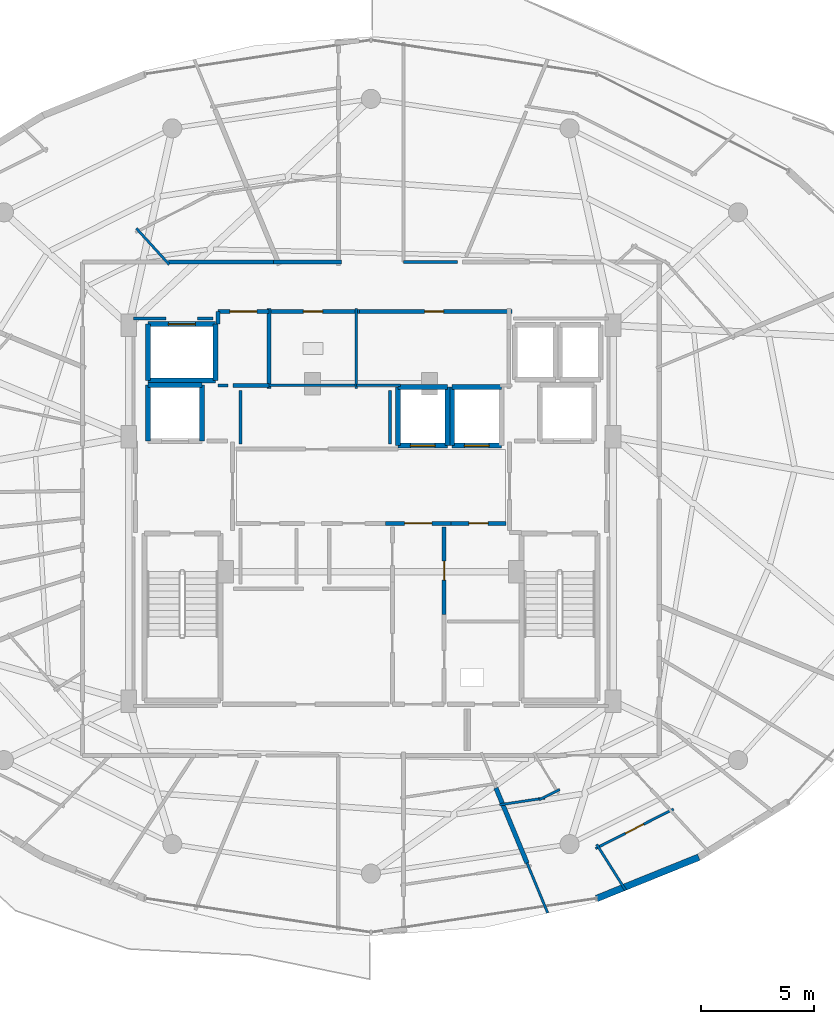
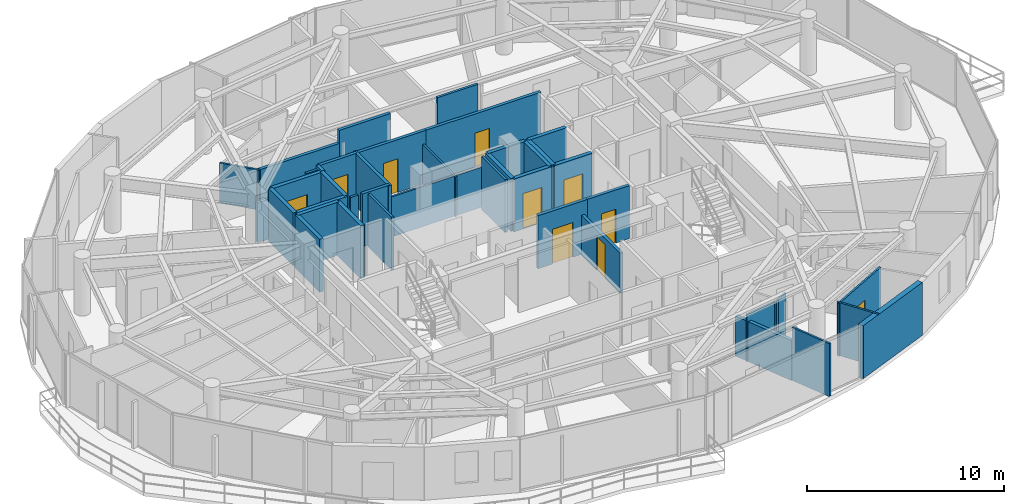
# One storey, part 25 of 31: 42 walls, 10 doors, 10 openings.
"""IFC4 building model written with IfcOpenShell, lengths in metres."""

from ifc_helpers import new_model, si_unit, direction, frame, frame_2d, origin, place, context, subcontext, project, spatial, rectangle, extrude, material, layer, layer_set, type_object, element, fill, save


model = new_model("IFC4")

# Units and contexts
model_context = context("Model", 3, precision=1e-05, world=origin(), true_north=direction((0.0, 1.0)))
body_context = subcontext(model_context, "Body", "Model", "MODEL_VIEW")
ifc_project = project(units=[si_unit("LENGTHUNIT", "METRE"), si_unit("AREAUNIT", "SQUARE_METRE"), si_unit("VOLUMEUNIT", "CUBIC_METRE"), si_unit("PLANEANGLEUNIT", "RADIAN"), si_unit("MASSUNIT", "GRAM", prefix="KILO")], contexts=[model_context])

# Site, building, storey
site_placement = place(None, origin())
site = spatial("IfcSite", under=ifc_project, at=site_placement, CompositionType="ELEMENT")
building_placement = place(site_placement, origin())
building = spatial("IfcBuilding", under=site, at=building_placement, Name="Vorneva Point Tower", CompositionType="ELEMENT")
storey_placement = place(building_placement, frame((0.0, 0.0, 266.199951171875)))
storey = spatial("IfcBuildingStorey", under=building, at=storey_placement, Name="L72", CompositionType="ELEMENT", Elevation=266.199951171875)

# Walls
ifc_material_1 = material(Name="Concrete B60 (C50/60)", Category="concrete")
ifc_layer_1 = layer(ifc_material_1, 0.35009765625)
ifc_layer_set_1 = layer_set([ifc_layer_1], Name="Concrete B60 (C50/60)")
wall_type_1 = type_object("IfcWallType", Name="WL-CORE-350", PredefinedType="SHEAR", material=ifc_layer_set_1)
wall_1_placement = place(storey_placement, frame((30.5, 28.0, 0.0), z_axis=(0.0, 0.0, 1.0), x_axis=(0.0, 1.0, 0.0)))
element("IfcWall", 1, at=wall_1_placement, inside=storey, type_object=wall_type_1, Name="L72 Lift FFL1 Shaft Wall +X", PredefinedType="SHEAR", context=body_context, shape_type="SweptSolid", body=[
    extrude(rectangle(XDim=2.5, YDim=0.219970703125, at=frame_2d((1.25, 0.0))), origin(), (0.0, 0.0, 1.0), 3.2900390625),
])
wall_2_placement = place(storey_placement, frame((30.5, 30.5, 0.0), z_axis=(0.0, 0.0, 1.0), x_axis=(-1.0, 0.0, 0.0)))
element("IfcWall", 2, at=wall_2_placement, inside=storey, type_object=wall_type_1, Name="L72 Lift FFL1 Shaft Wall +Y", PredefinedType="SHEAR", context=body_context, shape_type="SweptSolid", body=[
    extrude(rectangle(XDim=2.39990234375, YDim=0.219970703125, at=frame_2d((1.199951171875, 0.0))), origin(), (0.0, 0.0, 1.0), 3.2900390625),
])
wall_3_placement = place(storey_placement, frame((28.10009765625, 30.5, 0.0), z_axis=(0.0, 0.0, 1.0), x_axis=(0.0, -1.0, 0.0)))
element("IfcWall", 3, at=wall_3_placement, inside=storey, type_object=wall_type_1, Name="L72 Lift FFL1 Shaft Wall -X", PredefinedType="SHEAR", context=body_context, shape_type="SweptSolid", body=[
    extrude(rectangle(XDim=2.5, YDim=0.219970703125, at=frame_2d((1.25, 0.0))), origin(), (0.0, 0.0, 1.0), 3.2900390625),
])
ifc_material_2 = material(Name="Precast concrete B50 (C40/50)", Category="concrete")
ifc_layer_2 = layer(ifc_material_2, 0.300048828125)
ifc_layer_set_2 = layer_set([ifc_layer_2], Name="Precast concrete B50 (C40/50)")
wall_type_2 = type_object("IfcWallType", Name="WL-EXT-300", PredefinedType="STANDARD", material=ifc_layer_set_2)
wall_4_placement = place(storey_placement, frame((48.0263671875, 7.697998046875, 0.0), z_axis=(0.0, 0.0, 1.0), x_axis=(0.927147375511, 0.374696869594, 0.0)))
element("IfcWall", 4, at=wall_4_placement, inside=storey, type_object=wall_type_2, Name="L72 Pale-Metal Facade Spandrel Wall 14.1", PredefinedType="STANDARD", context=body_context, shape_type="SweptSolid", body=[
    extrude(rectangle(XDim=4.885498046875, YDim=0.300048828125, at=frame_2d((2.44287109375, 0.0))), origin(), (0.0, 0.0, 1.0), 3.2900390625),
])
ifc_material_3 = material(Name="Fire-rated acoustic gypsum stud partition", Category="gypsum")
ifc_layer_3 = layer(ifc_material_3, 0.110107421875)
ifc_layer_set_3 = layer_set([ifc_layer_3], Name="Fire-rated acoustic gypsum stud partition")
wall_type_3 = type_object("IfcWallType", Name="WL-PART-110", PredefinedType="PARTITIONING", material=ifc_layer_set_3)
wall_5_placement = place(storey_placement, frame((37.35009765625, 30.340087890625, 0.0), z_axis=(0.0, 0.0, 1.0), x_axis=(0.0, 1.0, 0.0)))
element("IfcWall", 5, at=wall_5_placement, inside=storey, type_object=wall_type_3, Name="L72 Interior Partition 022", PredefinedType="PARTITIONING", context=body_context, shape_type="SweptSolid", body=[
    extrude(rectangle(XDim=3.559814453125, YDim=0.110107421875, at=frame_2d((1.77978515625, 0.0))), origin(), (0.0, 0.0, 1.0), 2.48193359375),
])
wall_6_placement = place(storey_placement, frame((33.360107421875, 30.47998046875, 0.0), z_axis=(0.0, 0.0, 1.0), x_axis=(1.0, 0.0, 0.0)))
element("IfcWall", 6, at=wall_6_placement, inside=storey, type_object=wall_type_3, Name="L72 Interior Partition 023", PredefinedType="PARTITIONING", context=body_context, shape_type="SweptSolid", body=[
    extrude(rectangle(XDim=4.114990234375, YDim=0.110107421875, at=frame_2d((2.0576171875, 0.0))), origin(), (0.0, 0.0, 1.0), 2.48193359375),
])
wall_7_placement = place(storey_placement, frame((37.364990234375, 30.47998046875, 0.0), z_axis=(0.0, 0.0, 1.0), x_axis=(1.0, 0.0, 0.0)))
element("IfcWall", 7, at=wall_7_placement, inside=storey, type_object=wall_type_3, Name="L72 Interior Partition 025", PredefinedType="PARTITIONING", context=body_context, shape_type="SweptSolid", body=[
    extrude(rectangle(XDim=1.955078125, YDim=0.110107421875, at=frame_2d((0.9775390625, 0.0))), origin(), (0.0, 0.0, 1.0), 2.48193359375),
])
wall_8_placement = place(storey_placement, frame((29.040283203125, 35.846435546875, 0.0), z_axis=(0.0, 0.0, 1.0), x_axis=(-0.672886377769, 0.739745850014, 0.0)))
element("IfcWall", 8, at=wall_8_placement, inside=storey, type_object=wall_type_3, Name="L72 Interior Partition 078", PredefinedType="PARTITIONING", context=body_context, shape_type="SweptSolid", body=[
    extrude(rectangle(XDim=2.16162109375, YDim=0.110107421875, at=frame_2d((1.080810546875, 0.0))), origin(), (0.0, 0.0, 1.0), 2.48193359375),
])
wall_9_placement = place(storey_placement, frame((44.929443359375, 9.271240234375, 0.0), z_axis=(0.0, 0.0, 1.0), x_axis=(0.382798716902, -0.923831771665, 0.0)))
element("IfcWall", 9, at=wall_9_placement, inside=storey, type_object=wall_type_3, Name="L72 Interior Partition 113", PredefinedType="PARTITIONING", context=body_context, shape_type="SweptSolid", body=[
    extrude(rectangle(XDim=2.396240234375, YDim=0.110107421875, at=frame_2d((1.1982421875, 0.0))), origin(), (0.0, 0.0, 1.0), 3.2900390625),
])
wall_10_placement = place(storey_placement, frame((46.384033203125, 12.5380859375, 0.0), z_axis=(0.0, 0.0, 1.0), x_axis=(-0.892613755874, -0.450822229737, 0.0)))
element("IfcWall", 10, at=wall_10_placement, inside=storey, type_object=wall_type_3, Name="L72 Interior Partition 117", PredefinedType="PARTITIONING", context=body_context, shape_type="SweptSolid", body=[
    extrude(rectangle(XDim=1.02734375, YDim=0.110107421875, at=frame_2d((0.513671875, 0.0))), origin(), (0.0, 0.0, 1.0), 2.93603515625),
])
wall_11_placement = place(storey_placement, frame((45.73046875, 12.15869140625, 0.0), z_axis=(0.0, 0.0, 1.0), x_axis=(-0.98887923552, -0.148720736812, 0.0)))
element("IfcWall", 11, at=wall_11_placement, inside=storey, type_object=wall_type_3, Name="L72 Interior Partition 118", PredefinedType="PARTITIONING", context=body_context, shape_type="SweptSolid", body=[
    extrude(rectangle(XDim=2.04052734375, YDim=0.110107421875, at=frame_2d((1.020263671875, 0.0))), origin(), (0.0, 0.0, 1.0), 2.93603515625),
])
wall_12_placement = place(storey_placement, frame((49.302734375, 8.066650390625, 0.0), z_axis=(0.0, 0.0, 1.0), x_axis=(-0.53356042882, 0.845761945702, 0.0)))
element("IfcWall", 12, at=wall_12_placement, inside=storey, type_object=wall_type_3, Name="L72 Interior Partition 119", PredefinedType="PARTITIONING", context=body_context, shape_type="SweptSolid", body=[
    extrude(rectangle(XDim=2.39990234375, YDim=0.110107421875, at=frame_2d((1.199951171875, 0.0))), origin(), (0.0, 0.0, 1.0), 3.2900390625),
])

# Wall, opening, door
wall_13_placement = place(storey_placement, frame((47.971923828125, 9.914794921875, 0.0), z_axis=(0.0, 0.0, 1.0), x_axis=(0.892543730476, 0.450960851059, 0.0)))
wall_13 = element("IfcWall", 13, at=wall_13_placement, inside=storey, type_object=wall_type_3, Name="L72 Interior Partition 120", PredefinedType="PARTITIONING", context=body_context, shape_type="SweptSolid", body=[
    extrude(rectangle(XDim=3.87890625, YDim=0.110107421875, at=frame_2d((1.939453125, 0.0))), origin(), (0.0, 0.0, 1.0), 3.2900390625),
])
opening_1_placement = place(wall_13_placement, frame((1.489501953125, 0.0, 0.0)))
opening_1 = element("IfcOpeningElement", 14, at=opening_1_placement, cuts=wall_13, Name="Opening ID-01", PredefinedType="OPENING", context=body_context, shape_type="SweptSolid", body=[
    extrude(rectangle(XDim=0.89990234375, YDim=2.10009765625, at=frame_2d((0.449951171875, 1.050048828125))), frame((0.0, 0.06982421875, 0.0), z_axis=(0.0, -1.0, 0.0), x_axis=(1.0, 0.0, 0.0)), (0.0, 0.0, 1.0), 0.139892578125),
])
ifc_material_4 = material(Name="Engineered oak fire-rated door leaf", Category="wood")
door_type_1 = type_object("IfcDoorType", Name="DR-ROOM-900", OperationType="NOTDEFINED", PredefinedType="DOOR", material=ifc_material_4)
door_1_placement = place(opening_1_placement, origin())
door_1 = element("IfcDoor", 15, at=door_1_placement, inside=storey, type_object=door_type_1, Name="L72 Door Living and Dining Room L72-07 / Kitchen L72-07", OperationType="SINGLE_SWING_RIGHT", OverallHeight=2.10009765625, OverallWidth=0.89990234375, PredefinedType="DOOR", context=body_context, shape_type="SweptSolid", body=[
    extrude(rectangle(XDim=0.89990234375, YDim=2.10009765625, at=frame_2d((0.449951171875, 1.050048828125))), frame((0.0, 0.02490234375, 0.0), z_axis=(0.0, -1.0, 0.0), x_axis=(1.0, 0.0, 0.0)), (0.0, 0.0, 1.0), 0.050048828125),
])
fill(opening_1, door_1)

# Walls
ifc_layer_4 = layer(ifc_material_3, 0.139892578125)
ifc_layer_set_4 = layer_set([ifc_layer_4], Name="Fire-rated acoustic gypsum stud partition")
wall_type_4 = type_object("IfcWallType", Name="WL-PART-140", PredefinedType="PARTITIONING", material=ifc_layer_set_4)
wall_14_placement = place(storey_placement, frame((31.199951171875, 30.47998046875, 0.0), z_axis=(0.0, 0.0, 1.0), x_axis=(1.0, 0.0, 0.0)))
element("IfcWall", 16, at=wall_14_placement, inside=storey, type_object=wall_type_4, Name="L72 Interior Closure Partition 128", PredefinedType="PARTITIONING", context=body_context, shape_type="SweptSolid", body=[
    extrude(rectangle(XDim=0.449951171875, YDim=0.139892578125, at=frame_2d((0.22509765625, 0.0))), origin(), (0.0, 0.0, 1.0), 3.2900390625),
])
for number, where, z_axis, x_axis, name in (
    (17, (32.199951171875, 30.260009765625, 0.0), (0.0, 0.0, 1.0), (0.0, -1.0, 0.0), "L72 Interior Closure Partition 131"),
    (18, (38.85009765625, 27.8701171875, 0.0), (0.0, 0.0, 1.0), (0.0, 1.0, 0.0), "L72 Interior Closure Partition 132"),
):
    element("IfcWall", number, at=place(storey_placement, frame(where, z_axis=z_axis, x_axis=x_axis)), inside=storey, type_object=wall_type_4, Name=name, PredefinedType="PARTITIONING", context=body_context, shape_type="SweptSolid", body=[
        extrude(rectangle(XDim=2.389892578125, YDim=0.139892578125, at=frame_2d((1.19482421875, 0.0))), origin(), (0.0, 0.0, 1.0), 3.2900390625),
    ])
wall_15_placement = place(storey_placement, frame((41.841064453125, 35.949951171875, 0.0), z_axis=(0.0, 0.0, 1.0), x_axis=(-1.0, 0.0, 0.0)))
element("IfcWall", 19, at=wall_15_placement, inside=storey, type_object=wall_type_4, Name="L72 Interior Closure Partition 138", PredefinedType="PARTITIONING", context=body_context, shape_type="SweptSolid", body=[
    extrude(rectangle(XDim=2.39111328125, YDim=0.139892578125, at=frame_2d((1.195556640625, 0.0))), origin(), (0.0, 0.0, 1.0), 3.2900390625),
])
wall_16_placement = place(storey_placement, frame((30.97998046875, 33.449951171875, 0.0), z_axis=(0.0, 0.0, 1.0), x_axis=(-1.0, 0.0, 0.0)))
element("IfcWall", 20, at=wall_16_placement, inside=storey, type_object=wall_type_4, Name="L72 Interior Closure Partition 145", PredefinedType="PARTITIONING", context=body_context, shape_type="SweptSolid", body=[
    extrude(rectangle(XDim=0.674072265625, YDim=0.139892578125, at=frame_2d((0.3369140625, 0.0))), origin(), (0.0, 0.0, 1.0), 3.2900390625),
])
wall_17_placement = place(storey_placement, frame((28.89404296875, 33.449951171875, 0.0), z_axis=(0.0, 0.0, 1.0), x_axis=(-1.0, 0.0, 0.0)))
element("IfcWall", 21, at=wall_17_placement, inside=storey, type_object=wall_type_4, Name="L72 Interior Closure Partition 146", PredefinedType="PARTITIONING", context=body_context, shape_type="SweptSolid", body=[
    extrude(rectangle(XDim=1.444091796875, YDim=0.139892578125, at=frame_2d((0.72216796875, 0.0))), origin(), (0.0, 0.0, 1.0), 2.48193359375),
])
ifc_material_5 = material(Name="Autoclaved aerated concrete blockwork", Category="masonry")
ifc_layer_5 = layer(ifc_material_5, 0.179931640625)
ifc_layer_set_5 = layer_set([ifc_layer_5], Name="Autoclaved aerated concrete blockwork")
wall_type_5 = type_object("IfcWallType", Name="WL-PART-180", PredefinedType="PARTITIONING", material=ifc_layer_set_5)
wall_18_placement = place(storey_placement, frame((33.469970703125, 30.340087890625, 0.0), z_axis=(0.0, 0.0, 1.0), x_axis=(0.0, 1.0, 0.0)))
element("IfcWall", 22, at=wall_18_placement, inside=storey, type_object=wall_type_5, Name="L72 Interior Partition 006", PredefinedType="PARTITIONING", context=body_context, shape_type="SweptSolid", body=[
    extrude(rectangle(XDim=3.559814453125, YDim=0.179931640625, at=frame_2d((1.77978515625, 0.0))), origin(), (0.0, 0.0, 1.0), 3.2900390625),
])
wall_19_placement = place(storey_placement, frame((31.8701171875, 30.47998046875, 0.0), z_axis=(0.0, 0.0, 1.0), x_axis=(1.0, 0.0, 0.0)))
element("IfcWall", 23, at=wall_19_placement, inside=storey, type_object=wall_type_5, Name="L72 Interior Partition 007", PredefinedType="PARTITIONING", context=body_context, shape_type="SweptSolid", body=[
    extrude(rectangle(XDim=1.599853515625, YDim=0.179931640625, at=frame_2d((0.7998046875, 0.0))), origin(), (0.0, 0.0, 1.0), 3.2900390625),
])

# Wall, opening, door
wall_20_placement = place(storey_placement, frame((33.469970703125, 33.760009765625, 0.0), z_axis=(0.0, 0.0, 1.0), x_axis=(-1.0, 0.0, 0.0)))
wall_20 = element("IfcWall", 24, at=wall_20_placement, inside=storey, type_object=wall_type_5, Name="L72 Interior Partition 008", PredefinedType="PARTITIONING", context=body_context, shape_type="SweptSolid", body=[
    extrude(rectangle(XDim=2.27001953125, YDim=0.179931640625, at=frame_2d((1.135009765625, 0.0))), origin(), (0.0, 0.0, 1.0), 3.2900390625),
])
opening_2_placement = place(wall_20_placement, frame((0.534912109375, 0.0, 0.0)))
opening_2 = element("IfcOpeningElement", 25, at=opening_2_placement, cuts=wall_20, Name="Opening FD-02", PredefinedType="OPENING", context=body_context, shape_type="SweptSolid", body=[
    extrude(rectangle(XDim=1.199951171875, YDim=2.14990234375, at=frame_2d((0.60009765625, 1.074951171875))), frame((0.0, 0.10498046875, 0.0), z_axis=(0.0, -1.0, 0.0), x_axis=(1.0, 0.0, 0.0)), (0.0, 0.0, 1.0), 0.209716796875),
])
ifc_material_6 = material(Name="Fire-rated powder-coated steel", Category="steel")
door_type_2 = type_object("IfcDoorType", Name="DR-FFL-1200", OperationType="NOTDEFINED", PredefinedType="DOOR", material=ifc_material_6)
door_2_placement = place(opening_2_placement, origin())
door_2 = element("IfcDoor", 26, at=door_2_placement, inside=storey, type_object=door_type_2, Name="L72 Door Service Lift Lobby / L72 Circulation Corridor", OperationType="SINGLE_SWING_LEFT", OverallHeight=2.14990234375, OverallWidth=1.199951171875, PredefinedType="DOOR", context=body_context, shape_type="SweptSolid", body=[
    extrude(rectangle(XDim=1.199951171875, YDim=2.14990234375, at=frame_2d((0.60009765625, 1.074951171875))), frame((0.0, 0.02490234375, 0.0), z_axis=(0.0, -1.0, 0.0), x_axis=(1.0, 0.0, 0.0)), (0.0, 0.0, 1.0), 0.050048828125),
])
fill(opening_2, door_2)

# Wall
wall_21_placement = place(storey_placement, frame((31.199951171875, 33.760009765625, 0.0), z_axis=(0.0, 0.0, 1.0), x_axis=(0.0, -1.0, 0.0)))
element("IfcWall", 27, at=wall_21_placement, inside=storey, type_object=wall_type_5, Name="L72 Interior Partition 009", PredefinedType="PARTITIONING", context=body_context, shape_type="SweptSolid", body=[
    extrude(rectangle(XDim=0.56005859375, YDim=0.179931640625, at=frame_2d((0.280029296875, 0.0))), origin(), (0.0, 0.0, 1.0), 3.2900390625),
])

# Wall, opening, door
wall_22_placement = place(storey_placement, frame((38.64501953125, 24.35009765625, 0.0), z_axis=(0.0, 0.0, 1.0), x_axis=(1.0, 0.0, 0.0)))
wall_22 = element("IfcWall", 28, at=wall_22_placement, inside=storey, type_object=wall_type_5, Name="L72 Interior Partition 010", PredefinedType="PARTITIONING", context=body_context, shape_type="SweptSolid", body=[
    extrude(rectangle(XDim=2.909912109375, YDim=0.179931640625, at=frame_2d((1.455078125, 0.0))), origin(), (0.0, 0.0, 1.0), 3.2900390625),
])
opening_3_placement = place(wall_22_placement, frame((0.85498046875, 0.0, 0.0)))
opening_3 = element("IfcOpeningElement", 29, at=opening_3_placement, cuts=wall_22, Name="Opening FD-02", PredefinedType="OPENING", context=body_context, shape_type="SweptSolid", body=[
    extrude(rectangle(XDim=1.199951171875, YDim=2.14990234375, at=frame_2d((0.60009765625, 1.074951171875))), frame((0.0, 0.10498046875, 0.0), z_axis=(0.0, -1.0, 0.0), x_axis=(1.0, 0.0, 0.0)), (0.0, 0.0, 1.0), 0.209716796875),
])
door_3_placement = place(opening_3_placement, origin())
door_3 = element("IfcDoor", 30, at=door_3_placement, inside=storey, type_object=door_type_2, Name="L72 Door Central Lift Lobby / Core Service Lobby", OperationType="SINGLE_SWING_RIGHT", OverallHeight=2.14990234375, OverallWidth=1.199951171875, PredefinedType="DOOR", context=body_context, shape_type="SweptSolid", body=[
    extrude(rectangle(XDim=1.199951171875, YDim=2.14990234375, at=frame_2d((0.60009765625, 1.074951171875))), frame((0.0, 0.02490234375, 0.0), z_axis=(0.0, -1.0, 0.0), x_axis=(1.0, 0.0, 0.0)), (0.0, 0.0, 1.0), 0.050048828125),
])
fill(opening_3, door_3)

wall_23_placement = place(storey_placement, frame((41.554931640625, 24.35009765625, 0.0), z_axis=(0.0, 0.0, 1.0), x_axis=(1.0, 0.0, 0.0)))
wall_23 = element("IfcWall", 31, at=wall_23_placement, inside=storey, type_object=wall_type_5, Name="L72 Interior Partition 011", PredefinedType="PARTITIONING", context=body_context, shape_type="SweptSolid", body=[
    extrude(rectangle(XDim=2.445068359375, YDim=0.179931640625, at=frame_2d((1.22265625, 0.0))), origin(), (0.0, 0.0, 1.0), 3.2900390625),
])
opening_4_placement = place(wall_23_placement, frame((0.797607421875, 0.0, 0.0)))
opening_4 = element("IfcOpeningElement", 32, at=opening_4_placement, cuts=wall_23, Name="Opening ID-02", PredefinedType="OPENING", context=body_context, shape_type="SweptSolid", body=[
    extrude(rectangle(XDim=0.85009765625, YDim=2.10009765625, at=frame_2d((0.425048828125, 1.050048828125))), frame((0.0, 0.10498046875, 0.0), z_axis=(0.0, -1.0, 0.0), x_axis=(1.0, 0.0, 0.0)), (0.0, 0.0, 1.0), 0.209716796875),
])
door_type_3 = type_object("IfcDoorType", Name="DR-BATH-850", OperationType="NOTDEFINED", PredefinedType="DOOR", material=ifc_material_4)
door_4_placement = place(opening_4_placement, origin())
door_4 = element("IfcDoor", 33, at=door_4_placement, inside=storey, type_object=door_type_3, Name="L72 Door Central Lift Lobby / Cleaners Store", OperationType="SINGLE_SWING_LEFT", OverallHeight=2.10009765625, OverallWidth=0.85009765625, PredefinedType="DOOR", context=body_context, shape_type="SweptSolid", body=[
    extrude(rectangle(XDim=0.85009765625, YDim=2.10009765625, at=frame_2d((0.425048828125, 1.050048828125))), frame((0.0, 0.02490234375, 0.0), z_axis=(0.0, -1.0, 0.0), x_axis=(1.0, 0.0, 0.0)), (0.0, 0.0, 1.0), 0.050048828125),
])
fill(opening_4, door_4)

wall_24_placement = place(storey_placement, frame((41.25, 20.304931640625, 0.0), z_axis=(0.0, 0.0, 1.0), x_axis=(0.0, 1.0, 0.0)))
wall_24 = element("IfcWall", 34, at=wall_24_placement, inside=storey, type_object=wall_type_5, Name="L72 Interior Partition 016", PredefinedType="PARTITIONING", context=body_context, shape_type="SweptSolid", body=[
    extrude(rectangle(XDim=3.89501953125, YDim=0.179931640625, at=frame_2d((1.947509765625, 0.0))), origin(), (0.0, 0.0, 1.0), 2.48193359375),
])
opening_5_placement = place(wall_24_placement, frame((1.5224609375, 0.0, 0.0)))
opening_5 = element("IfcOpeningElement", 35, at=opening_5_placement, cuts=wall_24, Name="Opening ID-02", PredefinedType="OPENING", context=body_context, shape_type="SweptSolid", body=[
    extrude(rectangle(XDim=0.85009765625, YDim=2.10009765625, at=frame_2d((0.425048828125, 1.050048828125))), frame((0.0, 0.10498046875, 0.0), z_axis=(0.0, -1.0, 0.0), x_axis=(1.0, 0.0, 0.0)), (0.0, 0.0, 1.0), 0.209716796875),
])
door_5_placement = place(opening_5_placement, origin())
door_5 = element("IfcDoor", 36, at=door_5_placement, inside=storey, type_object=door_type_3, Name="L72 Door Core Service Lobby / Cleaners Store", OperationType="SINGLE_SWING_RIGHT", OverallHeight=2.10009765625, OverallWidth=0.85009765625, PredefinedType="DOOR", context=body_context, shape_type="SweptSolid", body=[
    extrude(rectangle(XDim=0.85009765625, YDim=2.10009765625, at=frame_2d((0.425048828125, 1.050048828125))), frame((0.0, 0.02490234375, 0.0), z_axis=(0.0, -1.0, 0.0), x_axis=(1.0, 0.0, 0.0)), (0.0, 0.0, 1.0), 0.050048828125),
])
fill(opening_5, door_5)

wall_25_placement = place(storey_placement, frame((37.489990234375, 33.760009765625, 0.0), z_axis=(0.0, 0.0, 1.0), x_axis=(-1.0, 0.0, 0.0)))
wall_25 = element("IfcWall", 37, at=wall_25_placement, inside=storey, type_object=wall_type_5, Name="L72 Interior Partition 024", PredefinedType="PARTITIONING", context=body_context, shape_type="SweptSolid", body=[
    extrude(rectangle(XDim=4.1298828125, YDim=0.179931640625, at=frame_2d((2.06494140625, 0.0))), origin(), (0.0, 0.0, 1.0), 3.2900390625),
])
opening_6_placement = place(wall_25_placement, frame((1.639892578125, 0.0, 0.0)))
opening_6 = element("IfcOpeningElement", 38, at=opening_6_placement, cuts=wall_25, Name="Opening ID-02", PredefinedType="OPENING", context=body_context, shape_type="SweptSolid", body=[
    extrude(rectangle(XDim=0.85009765625, YDim=2.10009765625, at=frame_2d((0.425048828125, 1.050048828125))), frame((0.0, 0.10498046875, 0.0), z_axis=(0.0, -1.0, 0.0), x_axis=(1.0, 0.0, 0.0)), (0.0, 0.0, 1.0), 0.209716796875),
])
door_6_placement = place(opening_6_placement, origin())
door_6 = element("IfcDoor", 39, at=door_6_placement, inside=storey, type_object=door_type_3, Name="L72 Door Accessible WC / L72 Circulation Corridor", OperationType="SINGLE_SWING_LEFT", OverallHeight=2.10009765625, OverallWidth=0.85009765625, PredefinedType="DOOR", context=body_context, shape_type="SweptSolid", body=[
    extrude(rectangle(XDim=0.85009765625, YDim=2.10009765625, at=frame_2d((0.425048828125, 1.050048828125))), frame((0.0, 0.02490234375, 0.0), z_axis=(0.0, -1.0, 0.0), x_axis=(1.0, 0.0, 0.0)), (0.0, 0.0, 1.0), 0.050048828125),
])
fill(opening_6, door_6)

wall_26_placement = place(storey_placement, frame((44.260009765625, 33.760009765625, 0.0), z_axis=(0.0, 0.0, 1.0), x_axis=(-1.0, 0.0, 0.0)))
wall_26 = element("IfcWall", 40, at=wall_26_placement, inside=storey, type_object=wall_type_5, Name="L72 Interior Partition 026", PredefinedType="PARTITIONING", context=body_context, shape_type="SweptSolid", body=[
    extrude(rectangle(XDim=6.909912109375, YDim=0.179931640625, at=frame_2d((3.455078125, 0.0))), origin(), (0.0, 0.0, 1.0), 3.2900390625),
])
opening_7_placement = place(wall_26_placement, frame((3.030029296875, 0.0, 0.0)))
opening_7 = element("IfcOpeningElement", 41, at=opening_7_placement, cuts=wall_26, Name="Opening ID-02", PredefinedType="OPENING", context=body_context, shape_type="SweptSolid", body=[
    extrude(rectangle(XDim=0.85009765625, YDim=2.10009765625, at=frame_2d((0.425048828125, 1.050048828125))), frame((0.0, 0.10498046875, 0.0), z_axis=(0.0, -1.0, 0.0), x_axis=(1.0, 0.0, 0.0)), (0.0, 0.0, 1.0), 0.209716796875),
])
door_7_placement = place(opening_7_placement, origin())
door_7 = element("IfcDoor", 42, at=door_7_placement, inside=storey, type_object=door_type_3, Name="L72 Door Public Restroom / L72 Circulation Corridor", OperationType="SINGLE_SWING_RIGHT", OverallHeight=2.10009765625, OverallWidth=0.85009765625, PredefinedType="DOOR", context=body_context, shape_type="SweptSolid", body=[
    extrude(rectangle(XDim=0.85009765625, YDim=2.10009765625, at=frame_2d((0.425048828125, 1.050048828125))), frame((0.0, 0.02490234375, 0.0), z_axis=(0.0, -1.0, 0.0), x_axis=(1.0, 0.0, 0.0)), (0.0, 0.0, 1.0), 0.050048828125),
])
fill(opening_7, door_7)

# Walls
wall_27_placement = place(storey_placement, frame((36.68994140625, 35.949951171875, 0.0), z_axis=(0.0, 0.0, 1.0), x_axis=(-1.0, 0.0, 0.0)))
element("IfcWall", 43, at=wall_27_placement, inside=storey, type_object=wall_type_5, Name="L72 Interior Partition 036", PredefinedType="PARTITIONING", context=body_context, shape_type="SweptSolid", body=[
    extrude(rectangle(XDim=3.015869140625, YDim=0.179931640625, at=frame_2d((1.5078125, 0.0))), origin(), (0.0, 0.0, 1.0), 3.2900390625),
])
wall_28_placement = place(storey_placement, frame((33.81396484375, 35.949951171875, 0.0), z_axis=(0.0, 0.0, 1.0), x_axis=(-1.0, 0.0, 0.0)))
element("IfcWall", 44, at=wall_28_placement, inside=storey, type_object=wall_type_5, Name="L72 Interior Partition 041", PredefinedType="PARTITIONING", context=body_context, shape_type="SweptSolid", body=[
    extrude(rectangle(XDim=4.947998046875, YDim=0.179931640625, at=frame_2d((2.47412109375, 0.0))), origin(), (0.0, 0.0, 1.0), 2.48193359375),
])
ifc_layer_6 = layer(ifc_material_5, 0.199951171875)
ifc_layer_set_6 = layer_set([ifc_layer_6], Name="Autoclaved aerated concrete blockwork")
wall_type_6 = type_object("IfcWallType", Name="WL-PART-200", PredefinedType="PARTITIONING", material=ifc_layer_set_6)
wall_29_placement = place(storey_placement, frame((44.9296875, 9.271484375, 0.0), z_axis=(0.0, 0.0, 1.0), x_axis=(-0.382744455498, 0.923854253541, 0.0)))
element("IfcWall", 45, at=wall_29_placement, inside=storey, type_object=wall_type_6, Name="L72 Interior Partition 115", PredefinedType="PARTITIONING", context=body_context, shape_type="SweptSolid", body=[
    extrude(rectangle(XDim=3.60595703125, YDim=0.199951171875, at=frame_2d((1.802978515625, 0.0))), origin(), (0.0, 0.0, 1.0), 2.48193359375),
])

# Wall, opening, door
ifc_material_7 = material(Name="Concrete B50 (C40/50)", Category="concrete")
ifc_layer_7 = layer(ifc_material_7, 0.219970703125)
ifc_layer_set_7 = layer_set([ifc_layer_7], Name="Concrete B50 (C40/50)")
wall_type_7 = type_object("IfcWallType", Name="WL-SHFT-220", PredefinedType="SOLIDWALL", material=ifc_layer_set_7)
wall_30_placement = place(storey_placement, frame((39.199951171875, 27.800048828125, 0.0), z_axis=(0.0, 0.0, 1.0), x_axis=(1.0, 0.0, 0.0)))
wall_30 = element("IfcWall", 46, at=wall_30_placement, inside=storey, type_object=wall_type_7, Name="L72 Lift PL7 Shaft Wall -Y", PredefinedType="SOLIDWALL", context=body_context, shape_type="SweptSolid", body=[
    extrude(rectangle(XDim=2.199951171875, YDim=0.219970703125, at=frame_2d((1.10009765625, 0.0))), origin(), (0.0, 0.0, 1.0), 3.2900390625),
])
opening_8_placement = place(wall_30_placement, frame((0.550048828125, 0.0, 0.0)))
opening_8 = element("IfcOpeningElement", 47, at=opening_8_placement, cuts=wall_30, Name="Opening LD-01", PredefinedType="OPENING", context=body_context, shape_type="SweptSolid", body=[
    extrude(rectangle(XDim=1.10009765625, YDim=2.199951171875, at=frame_2d((0.550048828125, 1.10009765625))), frame((0.0, 0.125, 0.0), z_axis=(0.0, -1.0, 0.0), x_axis=(1.0, 0.0, 0.0)), (0.0, 0.0, 1.0), 0.249755859375),
])
ifc_material_8 = material(Name="Brushed stainless steel S304", Category="steel")
door_type_4 = type_object("IfcDoorType", Name="LD-PASS-1100", OperationType="SLIDING_TO_LEFT", PredefinedType="DOOR", material=ifc_material_8)
door_8_placement = place(opening_8_placement, origin())
door_8 = element("IfcDoor", 48, at=door_8_placement, inside=storey, type_object=door_type_4, Name="L72 Lift PL7 Sliding Landing Door", OperationType="SLIDING_TO_LEFT", OverallHeight=2.199951171875, OverallWidth=1.10009765625, PredefinedType="DOOR", context=body_context, shape_type="SweptSolid", body=[
    extrude(rectangle(XDim=1.10009765625, YDim=2.199951171875, at=frame_2d((0.550048828125, 1.10009765625))), frame((0.0, 0.02490234375, 0.0), z_axis=(0.0, -1.0, 0.0), x_axis=(1.0, 0.0, 0.0)), (0.0, 0.0, 1.0), 0.050048828125),
])
fill(opening_8, door_8)

# Walls
wall_31_placement = place(storey_placement, frame((41.39990234375, 27.800048828125, 0.0), z_axis=(0.0, 0.0, 1.0), x_axis=(0.0, 1.0, 0.0)))
element("IfcWall", 49, at=wall_31_placement, inside=storey, type_object=wall_type_7, Name="L72 Lift PL7 Shaft Wall +X", PredefinedType="SOLIDWALL", context=body_context, shape_type="SweptSolid", body=[
    extrude(rectangle(XDim=2.599853515625, YDim=0.219970703125, at=frame_2d((1.2998046875, 0.0))), origin(), (0.0, 0.0, 1.0), 3.2900390625),
])
wall_32_placement = place(storey_placement, frame((41.39990234375, 30.39990234375, 0.0), z_axis=(0.0, 0.0, 1.0), x_axis=(-1.0, 0.0, 0.0)))
element("IfcWall", 50, at=wall_32_placement, inside=storey, type_object=wall_type_7, Name="L72 Lift PL7 Shaft Wall +Y", PredefinedType="SOLIDWALL", context=body_context, shape_type="SweptSolid", body=[
    extrude(rectangle(XDim=2.199951171875, YDim=0.219970703125, at=frame_2d((1.10009765625, 0.0))), origin(), (0.0, 0.0, 1.0), 3.2900390625),
])
wall_33_placement = place(storey_placement, frame((39.199951171875, 30.39990234375, 0.0), z_axis=(0.0, 0.0, 1.0), x_axis=(0.0, -1.0, 0.0)))
element("IfcWall", 51, at=wall_33_placement, inside=storey, type_object=wall_type_7, Name="L72 Lift PL7 Shaft Wall -X", PredefinedType="SOLIDWALL", context=body_context, shape_type="SweptSolid", body=[
    extrude(rectangle(XDim=2.599853515625, YDim=0.219970703125, at=frame_2d((1.2998046875, 0.0))), origin(), (0.0, 0.0, 1.0), 3.2900390625),
])

# Wall, opening, door
wall_34_placement = place(storey_placement, frame((41.60009765625, 27.800048828125, 0.0), z_axis=(0.0, 0.0, 1.0), x_axis=(1.0, 0.0, 0.0)))
wall_34 = element("IfcWall", 52, at=wall_34_placement, inside=storey, type_object=wall_type_7, Name="L72 Lift PL8 Shaft Wall -Y", PredefinedType="SOLIDWALL", context=body_context, shape_type="SweptSolid", body=[
    extrude(rectangle(XDim=2.199951171875, YDim=0.219970703125, at=frame_2d((1.10009765625, 0.0))), origin(), (0.0, 0.0, 1.0), 3.2900390625),
])
opening_9_placement = place(wall_34_placement, frame((0.550048828125, 0.0, 0.0)))
opening_9 = element("IfcOpeningElement", 53, at=opening_9_placement, cuts=wall_34, Name="Opening LD-01", PredefinedType="OPENING", context=body_context, shape_type="SweptSolid", body=[
    extrude(rectangle(XDim=1.10009765625, YDim=2.199951171875, at=frame_2d((0.550048828125, 1.10009765625))), frame((0.0, 0.125, 0.0), z_axis=(0.0, -1.0, 0.0), x_axis=(1.0, 0.0, 0.0)), (0.0, 0.0, 1.0), 0.249755859375),
])
door_9_placement = place(opening_9_placement, origin())
door_9 = element("IfcDoor", 54, at=door_9_placement, inside=storey, type_object=door_type_4, Name="L72 Lift PL8 Sliding Landing Door", OperationType="SLIDING_TO_LEFT", OverallHeight=2.199951171875, OverallWidth=1.10009765625, PredefinedType="DOOR", context=body_context, shape_type="SweptSolid", body=[
    extrude(rectangle(XDim=1.10009765625, YDim=2.199951171875, at=frame_2d((0.550048828125, 1.10009765625))), frame((0.0, 0.02490234375, 0.0), z_axis=(0.0, -1.0, 0.0), x_axis=(1.0, 0.0, 0.0)), (0.0, 0.0, 1.0), 0.050048828125),
])
fill(opening_9, door_9)

# Walls
wall_35_placement = place(storey_placement, frame((43.800048828125, 30.39990234375, 0.0), z_axis=(0.0, 0.0, 1.0), x_axis=(-1.0, 0.0, 0.0)))
element("IfcWall", 55, at=wall_35_placement, inside=storey, type_object=wall_type_7, Name="L72 Lift PL8 Shaft Wall +Y", PredefinedType="SOLIDWALL", context=body_context, shape_type="SweptSolid", body=[
    extrude(rectangle(XDim=2.199951171875, YDim=0.219970703125, at=frame_2d((1.10009765625, 0.0))), origin(), (0.0, 0.0, 1.0), 3.2900390625),
])
wall_36_placement = place(storey_placement, frame((41.60009765625, 30.39990234375, 0.0), z_axis=(0.0, 0.0, 1.0), x_axis=(0.0, -1.0, 0.0)))
element("IfcWall", 56, at=wall_36_placement, inside=storey, type_object=wall_type_7, Name="L72 Lift PL8 Shaft Wall -X", PredefinedType="SOLIDWALL", context=body_context, shape_type="SweptSolid", body=[
    extrude(rectangle(XDim=2.599853515625, YDim=0.219970703125, at=frame_2d((1.2998046875, 0.0))), origin(), (0.0, 0.0, 1.0), 3.2900390625),
])
wall_37_placement = place(storey_placement, frame((28.10009765625, 30.699951171875, 0.0), z_axis=(0.0, 0.0, 1.0), x_axis=(1.0, 0.0, 0.0)))
element("IfcWall", 57, at=wall_37_placement, inside=storey, type_object=wall_type_7, Name="L72 Lift SVL1 Shaft Wall -Y", PredefinedType="SOLIDWALL", context=body_context, shape_type="SweptSolid", body=[
    extrude(rectangle(XDim=3.0, YDim=0.219970703125, at=frame_2d((1.5, 0.0))), origin(), (0.0, 0.0, 1.0), 3.2900390625),
])
wall_38_placement = place(storey_placement, frame((31.10009765625, 30.699951171875, 0.0), z_axis=(0.0, 0.0, 1.0), x_axis=(0.0, 1.0, 0.0)))
element("IfcWall", 58, at=wall_38_placement, inside=storey, type_object=wall_type_7, Name="L72 Lift SVL1 Shaft Wall +X", PredefinedType="SOLIDWALL", context=body_context, shape_type="SweptSolid", body=[
    extrude(rectangle(XDim=2.5, YDim=0.219970703125, at=frame_2d((1.25, 0.0))), origin(), (0.0, 0.0, 1.0), 3.2900390625),
])

# Wall, opening, door
wall_39_placement = place(storey_placement, frame((31.10009765625, 33.199951171875, 0.0), z_axis=(0.0, 0.0, 1.0), x_axis=(-1.0, 0.0, 0.0)))
wall_39 = element("IfcWall", 59, at=wall_39_placement, inside=storey, type_object=wall_type_7, Name="L72 Lift SVL1 Shaft Wall +Y", PredefinedType="SOLIDWALL", context=body_context, shape_type="SweptSolid", body=[
    extrude(rectangle(XDim=3.0, YDim=0.219970703125, at=frame_2d((1.5, 0.0))), origin(), (0.0, 0.0, 1.0), 3.2900390625),
])
opening_10_placement = place(wall_39_placement, frame((0.89990234375, 0.0, 0.0)))
opening_10 = element("IfcOpeningElement", 60, at=opening_10_placement, cuts=wall_39, Name="Opening LD-02", PredefinedType="OPENING", context=body_context, shape_type="SweptSolid", body=[
    extrude(rectangle(XDim=1.199951171875, YDim=2.199951171875, at=frame_2d((0.60009765625, 1.10009765625))), frame((0.0, 0.125, 0.0), z_axis=(0.0, -1.0, 0.0), x_axis=(1.0, 0.0, 0.0)), (0.0, 0.0, 1.0), 0.249755859375),
])
door_type_5 = type_object("IfcDoorType", Name="LD-FIRE-1200", OperationType="SLIDING_TO_LEFT", PredefinedType="DOOR", material=ifc_material_8)
door_10_placement = place(opening_10_placement, origin())
door_10 = element("IfcDoor", 61, at=door_10_placement, inside=storey, type_object=door_type_5, Name="L72 Lift SVL1 Sliding Landing Door", OperationType="SLIDING_TO_LEFT", OverallHeight=2.199951171875, OverallWidth=1.199951171875, PredefinedType="DOOR", context=body_context, shape_type="SweptSolid", body=[
    extrude(rectangle(XDim=1.199951171875, YDim=2.199951171875, at=frame_2d((0.60009765625, 1.10009765625))), frame((0.0, 0.02490234375, 0.0), z_axis=(0.0, -1.0, 0.0), x_axis=(1.0, 0.0, 0.0)), (0.0, 0.0, 1.0), 0.050048828125),
])
fill(opening_10, door_10)

# Wall
wall_40_placement = place(storey_placement, frame((28.10009765625, 33.199951171875, 0.0), z_axis=(0.0, 0.0, 1.0), x_axis=(0.0, -1.0, 0.0)))
element("IfcWall", 62, at=wall_40_placement, inside=storey, type_object=wall_type_7, Name="L72 Lift SVL1 Shaft Wall -X", PredefinedType="SOLIDWALL", context=body_context, shape_type="SweptSolid", body=[
    extrude(rectangle(XDim=2.5, YDim=0.219970703125, at=frame_2d((1.25, 0.0))), origin(), (0.0, 0.0, 1.0), 3.2900390625),
])

save(model, "model.ifc")
